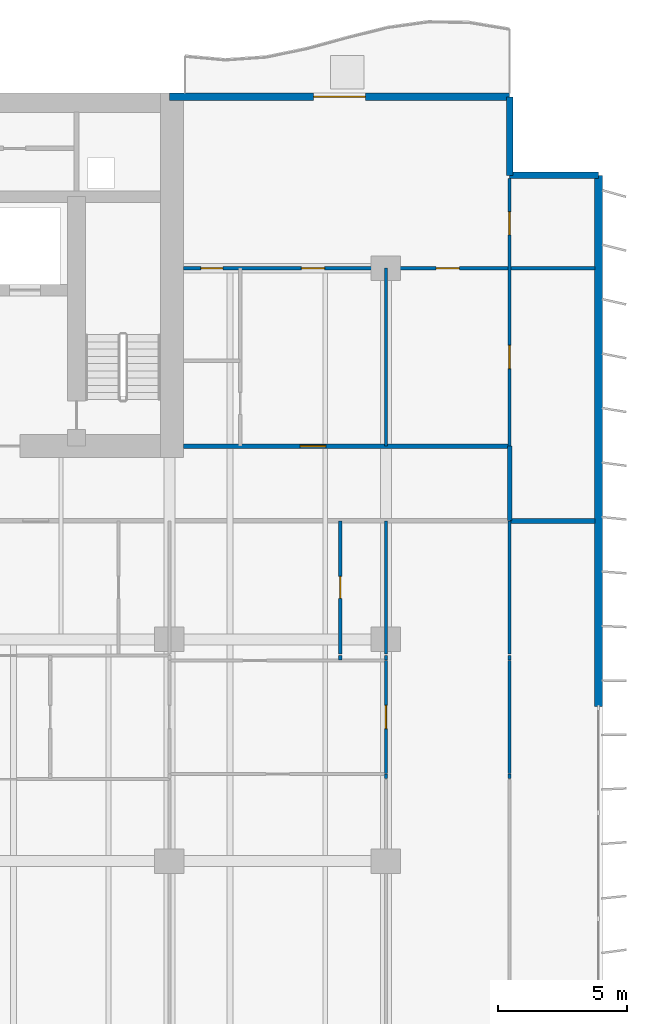
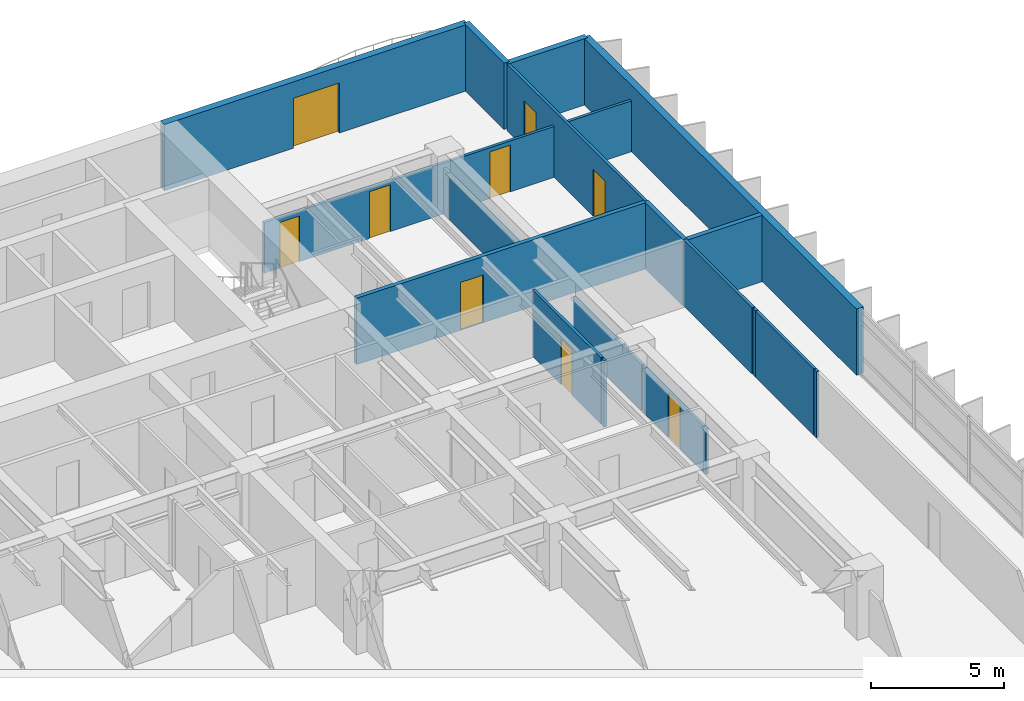
# One storey, part 13 of 18: 20 walls, 9 doors, 9 openings.
"""IFC4 building model written with IfcOpenShell, lengths in metres."""

from ifc_helpers import new_model, si_unit, direction, frame, frame_2d, origin, place, context, subcontext, project, spatial, rectangle, extrude, material, layer, layer_set, type_object, element, fill, save


model = new_model("IFC4")

# Units and contexts
model_context = context("Model", 3, precision=1e-05, world=origin(), true_north=direction((0.0, 1.0)))
body_context = subcontext(model_context, "Body", "Model", "MODEL_VIEW")
ifc_project = project(units=[si_unit("LENGTHUNIT", "METRE"), si_unit("AREAUNIT", "SQUARE_METRE"), si_unit("VOLUMEUNIT", "CUBIC_METRE"), si_unit("PLANEANGLEUNIT", "RADIAN"), si_unit("MASSUNIT", "GRAM", prefix="KILO")], contexts=[model_context])

# Site, building, storey
site_placement = place(None, origin())
site = spatial("IfcSite", under=ifc_project, at=site_placement, CompositionType="ELEMENT")
building_placement = place(site_placement, origin())
building = spatial("IfcBuilding", under=site, at=building_placement, Name="Caelmar Bay Residences", CompositionType="ELEMENT")
storey_placement = place(building_placement, frame((0.0, 0.0, 43.199951171875)))
storey = spatial("IfcBuildingStorey", under=building, at=storey_placement, Name="L10", CompositionType="ELEMENT", Elevation=43.199951171875)

# Wall
ifc_material_1 = material(Name="Double-stud acoustic fire-rated gypsum partition 180 mm")
ifc_layer_1 = layer(ifc_material_1, 0.179931640625)
ifc_layer_set_1 = layer_set([ifc_layer_1], Name="Double-stud acoustic fire-rated gypsum partition 180 mm")
wall_type_1 = type_object("IfcWallType", Name="W-COR-200", PredefinedType="PARTITIONING", material=ifc_layer_set_1)
wall_1_placement = place(storey_placement, frame((72.699951171875, 34.0048828125, 0.0), z_axis=(0.0, 0.0, 1.0), x_axis=(0.0, 1.0, 0.0)))
element("IfcWall", 1, at=wall_1_placement, inside=storey, type_object=wall_type_1, Name="L10 Partition Wall V111", PredefinedType="PARTITIONING", context=body_context, shape_type="SweptSolid", body=[
    extrude(rectangle(XDim=2.89501953125, YDim=0.179931640625, at=frame_2d((1.447509765625, 0.0))), origin(), (0.0, 0.0, 1.0), 3.050048828125),
])

# Wall, opening, door
wall_2_placement = place(storey_placement, frame((60.054931640625, 36.89990234375, 0.0), z_axis=(0.0, 0.0, 1.0), x_axis=(1.0, 0.0, 0.0)))
wall_2 = element("IfcWall", 2, at=wall_2_placement, inside=storey, type_object=wall_type_1, Name="L10 Partition Wall H140", PredefinedType="PARTITIONING", context=body_context, shape_type="SweptSolid", body=[
    extrude(rectangle(XDim=12.64501953125, YDim=0.179931640625, at=frame_2d((6.322509765625, 0.0))), origin(), (0.0, 0.0, 1.0), 3.050048828125),
])
opening_1_placement = place(wall_2_placement, frame((4.52001953125, 0.0, 0.0)))
opening_1 = element("IfcOpeningElement", 3, at=opening_1_placement, cuts=wall_2, Name="Opening D-L10-176", PredefinedType="OPENING", context=body_context, shape_type="SweptSolid", body=[
    extrude(rectangle(XDim=1.0, YDim=2.199951171875, at=frame_2d((0.5, 1.10009765625))), frame((0.0, 0.099853515625, 0.0), z_axis=(0.0, -1.0, 0.0), x_axis=(1.0, 0.0, 0.0)), (0.0, 0.0, 1.0), 0.199951171875),
])
ifc_material_2 = material(Name="Fire-rated steel and walnut architectural door assembly", Category="steel")
ifc_layer_2 = layer(ifc_material_2, 0.050048828125)
ifc_layer_set_2 = layer_set([ifc_layer_2], Name="Fire-rated steel and walnut architectural door assembly")
door_type_1 = type_object("IfcDoorType", Name="D-UNIT-1000", OperationType="NOTDEFINED", PredefinedType="DOOR", material=ifc_layer_set_2)
door_1_placement = place(opening_1_placement, origin())
door_1 = element("IfcDoor", 4, at=door_1_placement, inside=storey, type_object=door_type_1, Name="L10 Residence EA Kitchen Door", OperationType="SINGLE_SWING_LEFT", OverallHeight=2.199951171875, OverallWidth=1.0, PredefinedType="DOOR", context=body_context, shape_type="SweptSolid", body=[
    extrude(rectangle(XDim=1.0, YDim=2.199951171875, at=frame_2d((0.5, 1.10009765625))), frame((0.0, 0.02490234375, 0.0), z_axis=(0.0, -1.0, 0.0), x_axis=(1.0, 0.0, 0.0)), (0.0, 0.0, 1.0), 0.050048828125),
])
fill(opening_1, door_1)

# Walls
ifc_material_3 = material(Name="Precast concrete f'c 40 MPa (6,000 psi)", Category="concrete")
ifc_layer_3 = layer(ifc_material_3, 0.25)
ifc_layer_set_3 = layer_set([ifc_layer_3], Name="Precast concrete f'c 40 MPa (6,000 psi)")
wall_type_2 = type_object("IfcWallType", Name="W-EXT-250", PredefinedType="ELEMENTEDWALL", material=ifc_layer_set_3)
wall_3_placement = place(storey_placement, frame((72.699951171875, 50.449951171875, 0.0), z_axis=(0.0, 0.0, 1.0), x_axis=(0.0, -1.0, 0.0)))
element("IfcWall", 5, at=wall_3_placement, inside=storey, type_object=wall_type_2, Name="L10 NNE-V Notch Wall", PredefinedType="ELEMENTEDWALL", context=body_context, shape_type="SweptSolid", body=[
    extrude(rectangle(XDim=3.050048828125, YDim=0.25, at=frame_2d((1.52490234375, 0.0))), origin(), (0.0, 0.0, 1.0), 3.050048828125),
])
wall_4_placement = place(storey_placement, frame((72.699951171875, 47.39990234375, 0.0), z_axis=(0.0, 0.0, 1.0), x_axis=(1.0, 0.0, 0.0)))
element("IfcWall", 6, at=wall_4_placement, inside=storey, type_object=wall_type_2, Name="L10 NNE-H Notch Wall", PredefinedType="ELEMENTEDWALL", context=body_context, shape_type="SweptSolid", body=[
    extrude(rectangle(XDim=3.449951171875, YDim=0.25, at=frame_2d((1.72509765625, 0.0))), origin(), (0.0, 0.0, 1.0), 3.050048828125),
])
ifc_layer_4 = layer(ifc_material_3, 0.300048828125)
ifc_layer_set_4 = layer_set([ifc_layer_4], Name="Precast concrete f'c 40 MPa (6,000 psi)")
wall_type_3 = type_object("IfcWallType", Name="W-EXT-300", PredefinedType="STANDARD", material=ifc_layer_set_4)
wall_5_placement = place(storey_placement, frame((76.14990234375, 47.39990234375, 0.0), z_axis=(0.0, 0.0, 1.0), x_axis=(0.0, -1.0, 0.0)))
element("IfcWall", 7, at=wall_5_placement, inside=storey, type_object=wall_type_3, Name="L10 East Rear Exterior Wall", PredefinedType="STANDARD", context=body_context, shape_type="SweptSolid", body=[
    extrude(rectangle(XDim=20.599853515625, YDim=0.300048828125, at=frame_2d((10.2998046875, 0.0))), origin(), (0.0, 0.0, 1.0), 3.050048828125),
])

# Wall, opening, door
wall_6_placement = place(storey_placement, frame((59.5, 50.449951171875, 0.0), z_axis=(0.0, 0.0, 1.0), x_axis=(1.0, 0.0, 0.0)))
wall_6 = element("IfcWall", 8, at=wall_6_placement, inside=storey, type_object=wall_type_3, Name="L10 North-East Wing Exterior Wall", PredefinedType="STANDARD", context=body_context, shape_type="SweptSolid", body=[
    extrude(rectangle(XDim=13.199951171875, YDim=0.300048828125, at=frame_2d((6.60009765625, 0.0))), origin(), (0.0, 0.0, 1.0), 3.050048828125),
])
opening_2_placement = place(wall_6_placement, frame((5.60009765625, 0.0, 0.0)))
opening_2 = element("IfcOpeningElement", 9, at=opening_2_placement, cuts=wall_6, Name="Opening L10-BDNE", PredefinedType="OPENING", context=body_context, shape_type="SweptSolid", body=[
    extrude(rectangle(XDim=2.0, YDim=2.300048828125, at=frame_2d((1.0, 1.14990234375))), frame((0.0, 0.159912109375, 0.0), z_axis=(0.0, -1.0, 0.0), x_axis=(1.0, 0.0, 0.0)), (0.0, 0.0, 1.0), 0.320068359375),
])
ifc_material_4 = material(Name="Anodised bronze thermally broken sliding glass door", Category="glass")
ifc_layer_5 = layer(ifc_material_4, 0.050048828125)
ifc_layer_set_5 = layer_set([ifc_layer_5], Name="Anodised bronze thermally broken sliding glass door")
door_type_2 = type_object("IfcDoorType", Name="D-BAL-2000", OperationType="DOUBLE_DOOR_SLIDING", PredefinedType="DOOR", material=ifc_layer_set_5)
door_2_placement = place(opening_2_placement, origin())
door_2 = element("IfcDoor", 10, at=door_2_placement, inside=storey, type_object=door_type_2, Name="L10 North-East Balcony Door", OperationType="DOUBLE_DOOR_SLIDING", OverallHeight=2.300048828125, OverallWidth=2.0, PredefinedType="DOOR", context=body_context, shape_type="SweptSolid", body=[
    extrude(rectangle(XDim=2.0, YDim=2.300048828125, at=frame_2d((1.0, 1.14990234375))), frame((0.0, 0.02490234375, 0.0), z_axis=(0.0, -1.0, 0.0), x_axis=(1.0, 0.0, 0.0)), (0.0, 0.0, 1.0), 0.050048828125),
])
fill(opening_2, door_2)

# Wall
ifc_material_5 = material(Name="Acoustic metal-stud gypsum partition 120 mm")
ifc_layer_6 = layer(ifc_material_5, 0.1201171875)
ifc_layer_set_6 = layer_set([ifc_layer_6], Name="Acoustic metal-stud gypsum partition 120 mm")
wall_type_4 = type_object("IfcWallType", Name="W-PRT-120", PredefinedType="PARTITIONING", material=ifc_layer_set_6)
wall_7_placement = place(storey_placement, frame((66.12890625, 28.60009765625, 0.0), z_axis=(0.0, 0.0, 1.0), x_axis=(0.0, 1.0, 0.0)))
element("IfcWall", 11, at=wall_7_placement, inside=storey, type_object=wall_type_4, Name="L10 Partition Wall V097", PredefinedType="PARTITIONING", context=body_context, shape_type="SweptSolid", body=[
    extrude(rectangle(XDim=0.179931640625, YDim=0.1201171875, at=frame_2d((0.08984375, 0.0))), origin(), (0.0, 0.0, 1.0), 3.050048828125),
])

# Wall, opening, door
wall_8_placement = place(storey_placement, frame((66.12890625, 28.840087890625, 0.0), z_axis=(0.0, 0.0, 1.0), x_axis=(0.0, 1.0, 0.0)))
wall_8 = element("IfcWall", 12, at=wall_8_placement, inside=storey, type_object=wall_type_4, Name="L10 Partition Wall V098", PredefinedType="PARTITIONING", context=body_context, shape_type="SweptSolid", body=[
    extrude(rectangle(XDim=5.159912109375, YDim=0.1201171875, at=frame_2d((2.580078125, 0.0))), origin(), (0.0, 0.0, 1.0), 3.050048828125),
])
opening_3_placement = place(wall_8_placement, frame((2.155029296875, 0.0, 0.0)))
opening_3 = element("IfcOpeningElement", 13, at=opening_3_placement, cuts=wall_8, Name="Opening D-L10-162", PredefinedType="OPENING", context=body_context, shape_type="SweptSolid", body=[
    extrude(rectangle(XDim=0.85009765625, YDim=2.10009765625, at=frame_2d((0.425048828125, 1.050048828125))), frame((0.0, 0.070068359375, 0.0), z_axis=(0.0, -1.0, 0.0), x_axis=(1.0, 0.0, 0.0)), (0.0, 0.0, 1.0), 0.14013671875),
])
ifc_material_6 = material(Name="Solid walnut timber interior door leaf and frame", Category="wood")
ifc_layer_7 = layer(ifc_material_6, 0.050048828125)
ifc_layer_set_7 = layer_set([ifc_layer_7], Name="Solid walnut timber interior door leaf and frame")
door_type_3 = type_object("IfcDoorType", Name="D-BATH-850", OperationType="NOTDEFINED", PredefinedType="DOOR", material=ifc_layer_set_7)
door_3_placement = place(opening_3_placement, origin())
door_3 = element("IfcDoor", 14, at=door_3_placement, inside=storey, type_object=door_type_3, Name="L10 Residence 05 En-Suite Bathroom 1 Door", OperationType="SINGLE_SWING_LEFT", OverallHeight=2.10009765625, OverallWidth=0.85009765625, PredefinedType="DOOR", context=body_context, shape_type="SweptSolid", body=[
    extrude(rectangle(XDim=0.85009765625, YDim=2.10009765625, at=frame_2d((0.425048828125, 1.050048828125))), frame((0.0, 0.02490234375, 0.0), z_axis=(0.0, -1.0, 0.0), x_axis=(1.0, 0.0, 0.0)), (0.0, 0.0, 1.0), 0.050048828125),
])
fill(opening_3, door_3)

# Wall
wall_9_placement = place(storey_placement, frame((67.89990234375, 24.0, 0.0), z_axis=(0.0, 0.0, 1.0), x_axis=(0.0, 1.0, 0.0)))
element("IfcWall", 15, at=wall_9_placement, inside=storey, type_object=wall_type_4, Name="L10 Partition Wall V101", PredefinedType="PARTITIONING", context=body_context, shape_type="SweptSolid", body=[
    extrude(rectangle(XDim=0.179931640625, YDim=0.1201171875, at=frame_2d((0.08984375, 0.0))), origin(), (0.0, 0.0, 1.0), 2.110107421875),
])

# Wall, opening, door
wall_10_placement = place(storey_placement, frame((67.89990234375, 24.199951171875, 0.0), z_axis=(0.0, 0.0, 1.0), x_axis=(0.0, 1.0, 0.0)))
wall_10 = element("IfcWall", 16, at=wall_10_placement, inside=storey, type_object=wall_type_4, Name="L10 Partition Wall V102", PredefinedType="PARTITIONING", context=body_context, shape_type="SweptSolid", body=[
    extrude(rectangle(XDim=4.380126953125, YDim=0.1201171875, at=frame_2d((2.18994140625, 0.0))), origin(), (0.0, 0.0, 1.0), 2.110107421875),
])
opening_4_placement = place(wall_10_placement, frame((1.739990234375, 0.0, 0.0)))
opening_4 = element("IfcOpeningElement", 17, at=opening_4_placement, cuts=wall_10, Name="Opening D-L10-165", PredefinedType="OPENING", context=body_context, shape_type="SweptSolid", body=[
    extrude(rectangle(XDim=0.89990234375, YDim=2.06005859375, at=frame_2d((0.449951171875, 1.030029296875))), frame((0.0, 0.070068359375, 0.0), z_axis=(0.0, -1.0, 0.0), x_axis=(1.0, 0.0, 0.0)), (0.0, 0.0, 1.0), 0.14013671875),
])
ifc_layer_8 = layer(ifc_material_6, 0.050048828125)
ifc_layer_set_8 = layer_set([ifc_layer_8], Name="Solid walnut timber interior door leaf and frame")
door_type_4 = type_object("IfcDoorType", Name="D-ROOM-900", OperationType="NOTDEFINED", PredefinedType="DOOR", material=ifc_layer_set_8)
door_4_placement = place(opening_4_placement, origin())
door_4 = element("IfcDoor", 18, at=door_4_placement, inside=storey, type_object=door_type_4, Name="L10 Residence 05 East Apartment Hall Door", OperationType="SINGLE_SWING_RIGHT", OverallHeight=2.06005859375, OverallWidth=0.89990234375, PredefinedType="DOOR", context=body_context, shape_type="SweptSolid", body=[
    extrude(rectangle(XDim=0.89990234375, YDim=2.06005859375, at=frame_2d((0.449951171875, 1.030029296875))), frame((0.0, 0.02490234375, 0.0), z_axis=(0.0, -1.0, 0.0), x_axis=(1.0, 0.0, 0.0)), (0.0, 0.0, 1.0), 0.050048828125),
])
fill(opening_4, door_4)

# Walls
wall_11_placement = place(storey_placement, frame((67.89990234375, 28.60009765625, 0.0), z_axis=(0.0, 0.0, 1.0), x_axis=(0.0, 1.0, 0.0)))
element("IfcWall", 19, at=wall_11_placement, inside=storey, type_object=wall_type_4, Name="L10 Partition Wall V103", PredefinedType="PARTITIONING", context=body_context, shape_type="SweptSolid", body=[
    extrude(rectangle(XDim=0.179931640625, YDim=0.1201171875, at=frame_2d((0.08984375, 0.0))), origin(), (0.0, 0.0, 1.0), 2.110107421875),
])
wall_12_placement = place(storey_placement, frame((67.89990234375, 28.840087890625, 0.0), z_axis=(0.0, 0.0, 1.0), x_axis=(0.0, 1.0, 0.0)))
element("IfcWall", 20, at=wall_12_placement, inside=storey, type_object=wall_type_4, Name="L10 Partition Wall V104", PredefinedType="PARTITIONING", context=body_context, shape_type="SweptSolid", body=[
    extrude(rectangle(XDim=5.159912109375, YDim=0.1201171875, at=frame_2d((2.580078125, 0.0))), origin(), (0.0, 0.0, 1.0), 2.110107421875),
])
wall_13_placement = place(storey_placement, frame((67.89990234375, 36.89990234375, 0.0), z_axis=(0.0, 0.0, 1.0), x_axis=(0.0, 1.0, 0.0)))
element("IfcWall", 21, at=wall_13_placement, inside=storey, type_object=wall_type_4, Name="L10 Partition Wall V105", PredefinedType="PARTITIONING", context=body_context, shape_type="SweptSolid", body=[
    extrude(rectangle(XDim=6.900146484375, YDim=0.1201171875, at=frame_2d((3.4501953125, 0.0))), origin(), (0.0, 0.0, 1.0), 2.110107421875),
])
wall_14_placement = place(storey_placement, frame((72.699951171875, 24.0, 0.0), z_axis=(0.0, 0.0, 1.0), x_axis=(0.0, 1.0, 0.0)))
element("IfcWall", 22, at=wall_14_placement, inside=storey, type_object=wall_type_4, Name="L10 Partition Wall V107", PredefinedType="PARTITIONING", context=body_context, shape_type="SweptSolid", body=[
    extrude(rectangle(XDim=0.179931640625, YDim=0.1201171875, at=frame_2d((0.08984375, 0.0))), origin(), (0.0, 0.0, 1.0), 3.050048828125),
])
wall_15_placement = place(storey_placement, frame((72.699951171875, 24.199951171875, 0.0), z_axis=(0.0, 0.0, 1.0), x_axis=(0.0, 1.0, 0.0)))
element("IfcWall", 23, at=wall_15_placement, inside=storey, type_object=wall_type_4, Name="L10 Partition Wall V108", PredefinedType="PARTITIONING", context=body_context, shape_type="SweptSolid", body=[
    extrude(rectangle(XDim=4.380126953125, YDim=0.1201171875, at=frame_2d((2.18994140625, 0.0))), origin(), (0.0, 0.0, 1.0), 3.050048828125),
])
wall_16_placement = place(storey_placement, frame((72.699951171875, 28.60009765625, 0.0), z_axis=(0.0, 0.0, 1.0), x_axis=(0.0, 1.0, 0.0)))
element("IfcWall", 24, at=wall_16_placement, inside=storey, type_object=wall_type_4, Name="L10 Partition Wall V109", PredefinedType="PARTITIONING", context=body_context, shape_type="SweptSolid", body=[
    extrude(rectangle(XDim=0.179931640625, YDim=0.1201171875, at=frame_2d((0.08984375, 0.0))), origin(), (0.0, 0.0, 1.0), 3.050048828125),
])
wall_17_placement = place(storey_placement, frame((72.699951171875, 28.840087890625, 0.0), z_axis=(0.0, 0.0, 1.0), x_axis=(0.0, 1.0, 0.0)))
element("IfcWall", 25, at=wall_17_placement, inside=storey, type_object=wall_type_4, Name="L10 Partition Wall V110", PredefinedType="PARTITIONING", context=body_context, shape_type="SweptSolid", body=[
    extrude(rectangle(XDim=5.159912109375, YDim=0.1201171875, at=frame_2d((2.580078125, 0.0))), origin(), (0.0, 0.0, 1.0), 3.050048828125),
])

# Wall, openings, doors
wall_18_placement = place(storey_placement, frame((72.699951171875, 36.905029296875, 0.0), z_axis=(0.0, 0.0, 1.0), x_axis=(0.0, 1.0, 0.0)))
wall_18 = element("IfcWall", 26, at=wall_18_placement, inside=storey, type_object=wall_type_4, Name="L10 Partition Wall V112", PredefinedType="PARTITIONING", context=body_context, shape_type="SweptSolid", body=[
    extrude(rectangle(XDim=10.375, YDim=0.1201171875, at=frame_2d((5.1875, 0.0))), origin(), (0.0, 0.0, 1.0), 3.050048828125),
])
opening_5_placement = place(wall_18_placement, frame((2.99755859375, 0.0, 0.0)))
opening_5 = element("IfcOpeningElement", 27, at=opening_5_placement, cuts=wall_18, Name="Opening D-L10-180", PredefinedType="OPENING", context=body_context, shape_type="SweptSolid", body=[
    extrude(rectangle(XDim=0.89990234375, YDim=2.14990234375, at=frame_2d((0.449951171875, 1.074951171875))), frame((0.0, 0.070068359375, 0.0), z_axis=(0.0, -1.0, 0.0), x_axis=(1.0, 0.0, 0.0)), (0.0, 0.0, 1.0), 0.14013671875),
])
opening_6_placement = place(wall_18_placement, frame((8.18505859375, 0.0, 0.0)))
opening_6 = element("IfcOpeningElement", 28, at=opening_6_placement, cuts=wall_18, Name="Opening D-L10-181", PredefinedType="OPENING", context=body_context, shape_type="SweptSolid", body=[
    extrude(rectangle(XDim=0.89990234375, YDim=2.14990234375, at=frame_2d((0.449951171875, 1.074951171875))), frame((0.0, 0.070068359375, 0.0), z_axis=(0.0, -1.0, 0.0), x_axis=(1.0, 0.0, 0.0)), (0.0, 0.0, 1.0), 0.14013671875),
])
door_5_placement = place(opening_5_placement, origin())
door_5 = element("IfcDoor", 29, at=door_5_placement, inside=storey, type_object=door_type_4, Name="L10 Residence EA Sun Study Door", OperationType="SINGLE_SWING_LEFT", OverallHeight=2.14990234375, OverallWidth=0.89990234375, PredefinedType="DOOR", context=body_context, shape_type="SweptSolid", body=[
    extrude(rectangle(XDim=0.89990234375, YDim=2.14990234375, at=frame_2d((0.449951171875, 1.074951171875))), frame((0.0, 0.02490234375, 0.0), z_axis=(0.0, -1.0, 0.0), x_axis=(1.0, 0.0, 0.0)), (0.0, 0.0, 1.0), 0.050048828125),
])
fill(opening_5, door_5)
door_6_placement = place(opening_6_placement, origin())
door_6 = element("IfcDoor", 30, at=door_6_placement, inside=storey, type_object=door_type_4, Name="L10 Residence EA North Sitting Alcove Door", OperationType="SINGLE_SWING_RIGHT", OverallHeight=2.14990234375, OverallWidth=0.89990234375, PredefinedType="DOOR", context=body_context, shape_type="SweptSolid", body=[
    extrude(rectangle(XDim=0.89990234375, YDim=2.14990234375, at=frame_2d((0.449951171875, 1.074951171875))), frame((0.0, 0.02490234375, 0.0), z_axis=(0.0, -1.0, 0.0), x_axis=(1.0, 0.0, 0.0)), (0.0, 0.0, 1.0), 0.050048828125),
])
fill(opening_6, door_6)

wall_19_placement = place(storey_placement, frame((60.044921875, 43.800048828125, 0.0), z_axis=(0.0, 0.0, 1.0), x_axis=(1.0, 0.0, 0.0)))
wall_19 = element("IfcWall", 31, at=wall_19_placement, inside=storey, type_object=wall_type_4, Name="L10 Partition Wall H144", PredefinedType="PARTITIONING", context=body_context, shape_type="SweptSolid", body=[
    extrude(rectangle(XDim=15.9599609375, YDim=0.1201171875, at=frame_2d((7.97998046875, 0.0))), origin(), (0.0, 0.0, 1.0), 2.339111328125),
])
opening_7_placement = place(wall_19_placement, frame((9.804931640625, 0.0, 0.0)))
opening_7 = element("IfcOpeningElement", 32, at=opening_7_placement, cuts=wall_19, Name="Opening D-L10-175", PredefinedType="OPENING", context=body_context, shape_type="SweptSolid", body=[
    extrude(rectangle(XDim=0.89990234375, YDim=2.14990234375, at=frame_2d((0.449951171875, 1.074951171875))), frame((0.0, 0.070068359375, 0.0), z_axis=(0.0, -1.0, 0.0), x_axis=(1.0, 0.0, 0.0)), (0.0, 0.0, 1.0), 0.14013671875),
])
opening_8_placement = place(wall_19_placement, frame((4.580078125, 0.0, 0.0)))
opening_8 = element("IfcOpeningElement", 33, at=opening_8_placement, cuts=wall_19, Name="Opening D-L10-177", PredefinedType="OPENING", context=body_context, shape_type="SweptSolid", body=[
    extrude(rectangle(XDim=0.89990234375, YDim=2.14990234375, at=frame_2d((0.449951171875, 1.074951171875))), frame((0.0, 0.070068359375, 0.0), z_axis=(0.0, -1.0, 0.0), x_axis=(1.0, 0.0, 0.0)), (0.0, 0.0, 1.0), 0.14013671875),
])
opening_9_placement = place(wall_19_placement, frame((0.677490234375, 0.0, 0.0)))
opening_9 = element("IfcOpeningElement", 34, at=opening_9_placement, cuts=wall_19, Name="Opening D-L10-179", PredefinedType="OPENING", context=body_context, shape_type="SweptSolid", body=[
    extrude(rectangle(XDim=0.85009765625, YDim=2.10009765625, at=frame_2d((0.425048828125, 1.050048828125))), frame((0.0, 0.070068359375, 0.0), z_axis=(0.0, -1.0, 0.0), x_axis=(1.0, 0.0, 0.0)), (0.0, 0.0, 1.0), 0.14013671875),
])
door_7_placement = place(opening_9_placement, origin())
door_7 = element("IfcDoor", 35, at=door_7_placement, inside=storey, type_object=door_type_3, Name="L10 Residence EA Bathroom Door", OperationType="SINGLE_SWING_RIGHT", OverallHeight=2.10009765625, OverallWidth=0.85009765625, PredefinedType="DOOR", context=body_context, shape_type="SweptSolid", body=[
    extrude(rectangle(XDim=0.85009765625, YDim=2.10009765625, at=frame_2d((0.425048828125, 1.050048828125))), frame((0.0, 0.02490234375, 0.0), z_axis=(0.0, -1.0, 0.0), x_axis=(1.0, 0.0, 0.0)), (0.0, 0.0, 1.0), 0.050048828125),
])
fill(opening_9, door_7)
door_8_placement = place(opening_7_placement, origin())
door_8 = element("IfcDoor", 36, at=door_8_placement, inside=storey, type_object=door_type_4, Name="L10 Residence EA Study Door", OperationType="SINGLE_SWING_RIGHT", OverallHeight=2.14990234375, OverallWidth=0.89990234375, PredefinedType="DOOR", context=body_context, shape_type="SweptSolid", body=[
    extrude(rectangle(XDim=0.89990234375, YDim=2.14990234375, at=frame_2d((0.449951171875, 1.074951171875))), frame((0.0, 0.02490234375, 0.0), z_axis=(0.0, -1.0, 0.0), x_axis=(1.0, 0.0, 0.0)), (0.0, 0.0, 1.0), 0.050048828125),
])
fill(opening_7, door_8)
door_9_placement = place(opening_8_placement, origin())
door_9 = element("IfcDoor", 37, at=door_9_placement, inside=storey, type_object=door_type_4, Name="L10 Residence EA Studio Living and Sleeping Room Door", OperationType="SINGLE_SWING_RIGHT", OverallHeight=2.14990234375, OverallWidth=0.89990234375, PredefinedType="DOOR", context=body_context, shape_type="SweptSolid", body=[
    extrude(rectangle(XDim=0.89990234375, YDim=2.14990234375, at=frame_2d((0.449951171875, 1.074951171875))), frame((0.0, 0.02490234375, 0.0), z_axis=(0.0, -1.0, 0.0), x_axis=(1.0, 0.0, 0.0)), (0.0, 0.0, 1.0), 0.050048828125),
])
fill(opening_8, door_9)

# Wall
ifc_material_7 = material(Name="Acoustic twin-stud fire-rated inter-tenancy partition 200 mm")
ifc_layer_9 = layer(ifc_material_7, 0.199951171875)
ifc_layer_set_9 = layer_set([ifc_layer_9], Name="Acoustic twin-stud fire-rated inter-tenancy partition 200 mm")
wall_type_5 = type_object("IfcWallType", Name="W-PTY-200", PredefinedType="PARTITIONING", material=ifc_layer_set_9)
wall_20_placement = place(storey_placement, frame((72.705078125, 34.0, 0.0), z_axis=(0.0, 0.0, 1.0), x_axis=(1.0, 0.0, 0.0)))
element("IfcWall", 38, at=wall_20_placement, inside=storey, type_object=wall_type_5, Name="L10 Partition Wall H138", PredefinedType="PARTITIONING", context=body_context, shape_type="SweptSolid", body=[
    extrude(rectangle(XDim=3.2998046875, YDim=0.199951171875, at=frame_2d((1.64990234375, 0.0))), origin(), (0.0, 0.0, 1.0), 3.050048828125),
])

save(model, "model.ifc")
